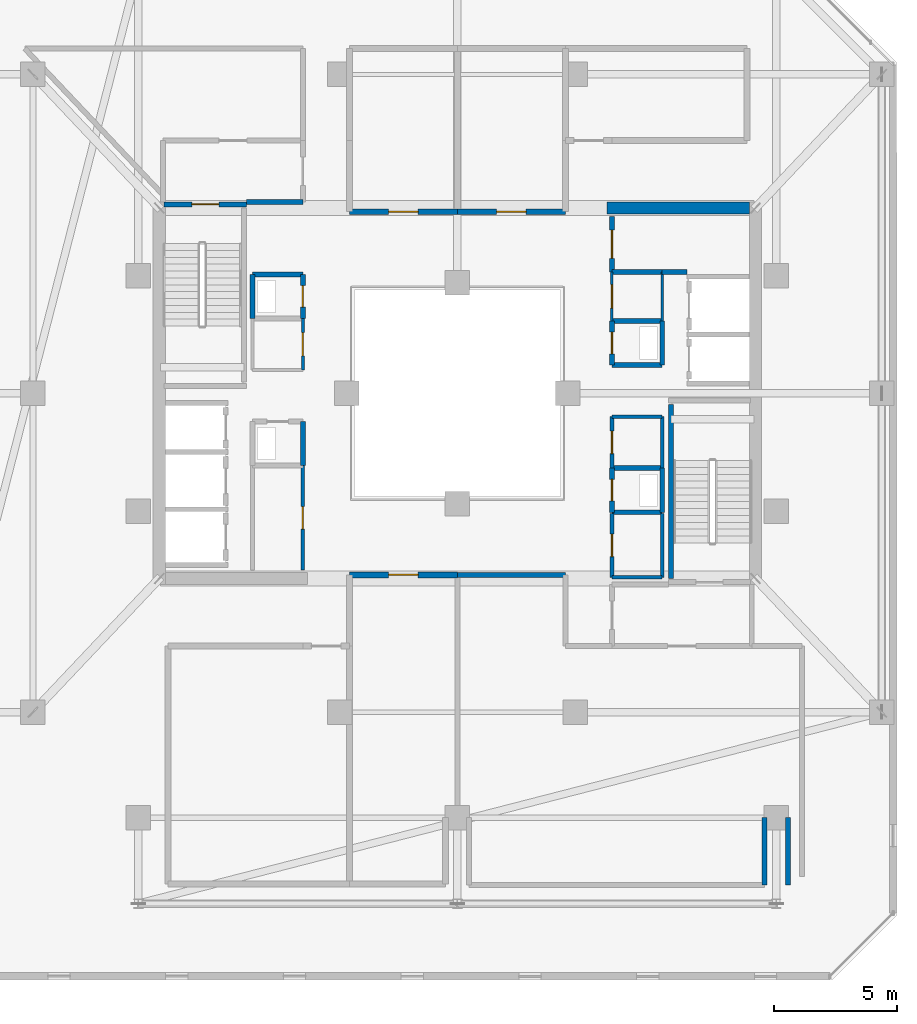
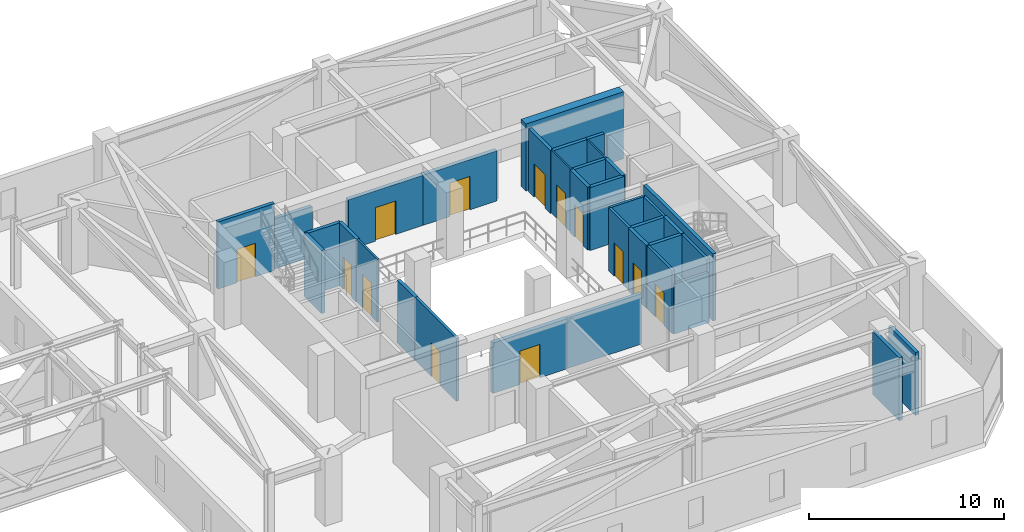
# One storey, part 38 of 42: 35 walls, 13 doors, 13 openings.
"""IFC4 building model written with IfcOpenShell, lengths in metres."""

from ifc_helpers import new_model, si_unit, direction, frame, frame_2d, origin, place, context, subcontext, project, spatial, rectangle, extrude, material, layer, layer_set, type_object, element, fill, save


model = new_model("IFC4")

# Units and contexts
model_context = context("Model", 3, precision=1e-05, world=origin(), true_north=direction((0.0, 1.0)))
body_context = subcontext(model_context, "Body", "Model", "MODEL_VIEW")
ifc_project = project(units=[si_unit("LENGTHUNIT", "METRE"), si_unit("AREAUNIT", "SQUARE_METRE"), si_unit("VOLUMEUNIT", "CUBIC_METRE"), si_unit("PLANEANGLEUNIT", "RADIAN"), si_unit("MASSUNIT", "GRAM", prefix="KILO")], contexts=[model_context])

# Site, building, storey
site_placement = place(None, origin())
site = spatial("IfcSite", under=ifc_project, at=site_placement, CompositionType="ELEMENT")
building_placement = place(site_placement, origin())
building = spatial("IfcBuilding", under=site, at=building_placement, Name="Thornwick Lancets Civic Towers", CompositionType="ELEMENT")
storey_placement = place(building_placement, frame((0.0, 0.0, 221.699951171875)))
storey = spatial("IfcBuildingStorey", under=building, at=storey_placement, Name="L59", CompositionType="ELEMENT", Elevation=221.699951171875)

# Walls
ifc_material_1 = material(Name="Concrete blockwork C40/50", Category="masonry")
ifc_layer_1 = layer(ifc_material_1, 0.199951171875, Name="Concrete blockwork C40/50")
ifc_layer_set_1 = layer_set([ifc_layer_1], Name="Concrete blockwork C40/50")
wall_type_1 = type_object("IfcWallType", Name="WALL_COMP_200", PredefinedType="STANDARD", material=ifc_layer_set_1)
wall_1_placement = place(storey_placement, frame((79.89990234375, 34.800048828125, 0.0), z_axis=(0.0, 0.0, 1.0), x_axis=(1.0, 0.0, 0.0)))
element("IfcWall", 1, at=wall_1_placement, inside=storey, type_object=wall_type_1, Name="L59 Partition L59-B-FFLOB2 E1", PredefinedType="STANDARD", context=body_context, shape_type="SweptSolid", body=[
    extrude(rectangle(XDim=2.300048828125, YDim=0.199951171875, at=frame_2d((1.14990234375, 0.0))), origin(), (0.0, 0.0, 1.0), 3.14501953125),
])
wall_2_placement = place(storey_placement, frame((94.800048828125, 28.14990234375, 0.0), z_axis=(0.0, 0.0, 1.0), x_axis=(1.0, 0.0, 0.0)))
element("IfcWall", 2, at=wall_2_placement, inside=storey, type_object=wall_type_1, Name="L59 Partition L59-B-DUCT1 E1", PredefinedType="STANDARD", context=body_context, shape_type="SweptSolid", body=[
    extrude(rectangle(XDim=2.050048828125, YDim=0.199951171875, at=frame_2d((1.02490234375, 0.0))), origin(), (0.0, 0.0, 1.0), 3.93994140625),
])
wall_3_placement = place(storey_placement, frame((96.85009765625, 28.14990234375, 0.0), z_axis=(0.0, 0.0, 1.0), x_axis=(0.0, 1.0, 0.0)))
element("IfcWall", 3, at=wall_3_placement, inside=storey, type_object=wall_type_1, Name="L59 Partition L59-B-DUCT1 E2", PredefinedType="STANDARD", context=body_context, shape_type="SweptSolid", body=[
    extrude(rectangle(XDim=1.800048828125, YDim=0.199951171875, at=frame_2d((0.89990234375, 0.0))), origin(), (0.0, 0.0, 1.0), 3.93994140625),
])
wall_4_placement = place(storey_placement, frame((96.85009765625, 29.949951171875, 0.0), z_axis=(0.0, 0.0, 1.0), x_axis=(-1.0, 0.0, 0.0)))
element("IfcWall", 4, at=wall_4_placement, inside=storey, type_object=wall_type_1, Name="L59 Partition L59-B-DUCT1 E3", PredefinedType="STANDARD", context=body_context, shape_type="SweptSolid", body=[
    extrude(rectangle(XDim=2.050048828125, YDim=0.199951171875, at=frame_2d((1.02490234375, 0.0))), origin(), (0.0, 0.0, 1.0), 3.93994140625),
])

# Wall, opening, door
wall_5_placement = place(storey_placement, frame((94.800048828125, 29.949951171875, 0.0), z_axis=(0.0, 0.0, 1.0), x_axis=(0.0, -1.0, 0.0)))
wall_5 = element("IfcWall", 5, at=wall_5_placement, inside=storey, type_object=wall_type_1, Name="L59 Partition L59-B-DUCT1 E4", PredefinedType="STANDARD", context=body_context, shape_type="SweptSolid", body=[
    extrude(rectangle(XDim=1.800048828125, YDim=0.199951171875, at=frame_2d((0.89990234375, 0.0))), origin(), (0.0, 0.0, 1.0), 3.93994140625),
])
opening_1_placement = place(wall_5_placement, frame((0.4599609375, 0.0, 0.0)))
opening_1 = element("IfcOpeningElement", 6, at=opening_1_placement, cuts=wall_5, Name="Opening D-L59-2653", PredefinedType="OPENING", context=body_context, shape_type="SweptSolid", body=[
    extrude(rectangle(XDim=0.8798828125, YDim=2.0400390625, at=frame_2d((0.43994140625, 1.02001953125))), frame((0.0, 0.10986328125, 0.0), z_axis=(0.0, -1.0, 0.0), x_axis=(1.0, 0.0, 0.0)), (0.0, 0.0, 1.0), 0.219970703125),
])
ifc_material_2 = material(Name="Steel riser access doorset", Category="steel")
door_type_1 = type_object("IfcDoorType", Name="DOOR_RISER_850", OperationType="NOTDEFINED", PredefinedType="DOOR", material=ifc_material_2)
door_1_placement = place(opening_1_placement, origin())
door_1 = element("IfcDoor", 7, at=door_1_placement, inside=storey, type_object=door_type_1, Name="L59 East Service Duct 1 Door", OperationType="SINGLE_SWING_RIGHT", OverallHeight=2.0400390625, OverallWidth=0.8798828125, PredefinedType="DOOR", context=body_context, shape_type="SweptSolid", body=[
    extrude(rectangle(XDim=0.8798828125, YDim=2.0400390625, at=frame_2d((0.43994140625, 1.02001953125))), frame((0.0, 0.02490234375, 0.0), z_axis=(0.0, -1.0, 0.0), x_axis=(1.0, 0.0, 0.0)), (0.0, 0.0, 1.0), 0.050048828125),
])
fill(opening_1, door_1)

# Walls
wall_6_placement = place(storey_placement, frame((94.800048828125, 22.14990234375, 0.0), z_axis=(0.0, 0.0, 1.0), x_axis=(1.0, 0.0, 0.0)))
element("IfcWall", 8, at=wall_6_placement, inside=storey, type_object=wall_type_1, Name="L59 Partition L59-B-RISER1 E1", PredefinedType="STANDARD", context=body_context, shape_type="SweptSolid", body=[
    extrude(rectangle(XDim=2.050048828125, YDim=0.199951171875, at=frame_2d((1.02490234375, 0.0))), origin(), (0.0, 0.0, 1.0), 3.93994140625),
])
wall_7_placement = place(storey_placement, frame((96.85009765625, 22.14990234375, 0.0), z_axis=(0.0, 0.0, 1.0), x_axis=(0.0, 1.0, 0.0)))
element("IfcWall", 9, at=wall_7_placement, inside=storey, type_object=wall_type_1, Name="L59 Partition L59-B-RISER1 E2", PredefinedType="STANDARD", context=body_context, shape_type="SweptSolid", body=[
    extrude(rectangle(XDim=1.800048828125, YDim=0.199951171875, at=frame_2d((0.89990234375, 0.0))), origin(), (0.0, 0.0, 1.0), 3.93994140625),
])
wall_8_placement = place(storey_placement, frame((96.85009765625, 23.949951171875, 0.0), z_axis=(0.0, 0.0, 1.0), x_axis=(-1.0, 0.0, 0.0)))
element("IfcWall", 10, at=wall_8_placement, inside=storey, type_object=wall_type_1, Name="L59 Partition L59-B-RISER1 E3", PredefinedType="STANDARD", context=body_context, shape_type="SweptSolid", body=[
    extrude(rectangle(XDim=2.050048828125, YDim=0.199951171875, at=frame_2d((1.02490234375, 0.0))), origin(), (0.0, 0.0, 1.0), 3.93994140625),
])

# Wall, opening, door
wall_9_placement = place(storey_placement, frame((94.800048828125, 23.949951171875, 0.0), z_axis=(0.0, 0.0, 1.0), x_axis=(0.0, -1.0, 0.0)))
wall_9 = element("IfcWall", 11, at=wall_9_placement, inside=storey, type_object=wall_type_1, Name="L59 Partition L59-B-RISER1 E4", PredefinedType="STANDARD", context=body_context, shape_type="SweptSolid", body=[
    extrude(rectangle(XDim=1.800048828125, YDim=0.199951171875, at=frame_2d((0.89990234375, 0.0))), origin(), (0.0, 0.0, 1.0), 3.93994140625),
])
opening_2_placement = place(wall_9_placement, frame((0.4599609375, 0.0, 0.0)))
opening_2 = element("IfcOpeningElement", 12, at=opening_2_placement, cuts=wall_9, Name="Opening D-L59-2654", PredefinedType="OPENING", context=body_context, shape_type="SweptSolid", body=[
    extrude(rectangle(XDim=0.8798828125, YDim=2.0400390625, at=frame_2d((0.43994140625, 1.02001953125))), frame((0.0, 0.10986328125, 0.0), z_axis=(0.0, -1.0, 0.0), x_axis=(1.0, 0.0, 0.0)), (0.0, 0.0, 1.0), 0.219970703125),
])
door_2_placement = place(opening_2_placement, origin())
door_2 = element("IfcDoor", 13, at=door_2_placement, inside=storey, type_object=door_type_1, Name="L59 East Electrical Riser 1 Door", OperationType="SINGLE_SWING_LEFT", OverallHeight=2.0400390625, OverallWidth=0.8798828125, PredefinedType="DOOR", context=body_context, shape_type="SweptSolid", body=[
    extrude(rectangle(XDim=0.8798828125, YDim=2.0400390625, at=frame_2d((0.43994140625, 1.02001953125))), frame((0.0, 0.02490234375, 0.0), z_axis=(0.0, -1.0, 0.0), x_axis=(1.0, 0.0, 0.0)), (0.0, 0.0, 1.0), 0.050048828125),
])
fill(opening_2, door_2)

# Wall
wall_10_placement = place(storey_placement, frame((82.199951171875, 24.050048828125, 0.0), z_axis=(0.0, 0.0, 1.0), x_axis=(0.0, 1.0, 0.0)))
element("IfcWall", 14, at=wall_10_placement, inside=storey, type_object=wall_type_1, Name="L59 Partition L59-B-DUCT2 E2", PredefinedType="STANDARD", context=body_context, shape_type="SweptSolid", body=[
    extrude(rectangle(XDim=1.800048828125, YDim=0.199951171875, at=frame_2d((0.89990234375, 0.0))), origin(), (0.0, 0.0, 1.0), 3.93994140625),
])

# Wall, opening, door
wall_11_placement = place(storey_placement, frame((82.199951171875, 30.050048828125, 0.0), z_axis=(0.0, 0.0, 1.0), x_axis=(0.0, 1.0, 0.0)))
wall_11 = element("IfcWall", 15, at=wall_11_placement, inside=storey, type_object=wall_type_1, Name="L59 Partition L59-B-RISER2 E2", PredefinedType="STANDARD", context=body_context, shape_type="SweptSolid", body=[
    extrude(rectangle(XDim=1.800048828125, YDim=0.199951171875, at=frame_2d((0.89990234375, 0.0))), origin(), (0.0, 0.0, 1.0), 3.93994140625),
])
opening_3_placement = place(wall_11_placement, frame((0.4599609375, 0.0, 0.0)))
opening_3 = element("IfcOpeningElement", 16, at=opening_3_placement, cuts=wall_11, Name="Opening D-L59-2656", PredefinedType="OPENING", context=body_context, shape_type="SweptSolid", body=[
    extrude(rectangle(XDim=0.8798828125, YDim=2.0400390625, at=frame_2d((0.43994140625, 1.02001953125))), frame((0.0, 0.10986328125, 0.0), z_axis=(0.0, -1.0, 0.0), x_axis=(1.0, 0.0, 0.0)), (0.0, 0.0, 1.0), 0.219970703125),
])
door_3_placement = place(opening_3_placement, origin())
door_3 = element("IfcDoor", 17, at=door_3_placement, inside=storey, type_object=door_type_1, Name="L59 West Service Riser 2 Door", OperationType="SINGLE_SWING_LEFT", OverallHeight=2.0400390625, OverallWidth=0.8798828125, PredefinedType="DOOR", context=body_context, shape_type="SweptSolid", body=[
    extrude(rectangle(XDim=0.8798828125, YDim=2.0400390625, at=frame_2d((0.43994140625, 1.02001953125))), frame((0.0, 0.02490234375, 0.0), z_axis=(0.0, -1.0, 0.0), x_axis=(1.0, 0.0, 0.0)), (0.0, 0.0, 1.0), 0.050048828125),
])
fill(opening_3, door_3)

# Walls
wall_12_placement = place(storey_placement, frame((82.199951171875, 31.85009765625, 0.0), z_axis=(0.0, 0.0, 1.0), x_axis=(-1.0, 0.0, 0.0)))
element("IfcWall", 18, at=wall_12_placement, inside=storey, type_object=wall_type_1, Name="L59 Partition L59-B-RISER2 E3", PredefinedType="STANDARD", context=body_context, shape_type="SweptSolid", body=[
    extrude(rectangle(XDim=2.050048828125, YDim=0.199951171875, at=frame_2d((1.02490234375, 0.0))), origin(), (0.0, 0.0, 1.0), 3.93994140625),
])
wall_13_placement = place(storey_placement, frame((80.14990234375, 31.85009765625, 0.0), z_axis=(0.0, 0.0, 1.0), x_axis=(0.0, -1.0, 0.0)))
element("IfcWall", 19, at=wall_13_placement, inside=storey, type_object=wall_type_1, Name="L59 Partition L59-B-RISER2 E4", PredefinedType="STANDARD", context=body_context, shape_type="SweptSolid", body=[
    extrude(rectangle(XDim=1.800048828125, YDim=0.199951171875, at=frame_2d((0.89990234375, 0.0))), origin(), (0.0, 0.0, 1.0), 3.93994140625),
])

# Wall, opening, door
wall_14_placement = place(storey_placement, frame((94.800048828125, 31.949951171875, 0.0), z_axis=(0.0, 0.0, 1.0), x_axis=(0.0, 1.0, 0.0)))
wall_14 = element("IfcWall", 20, at=wall_14_placement, inside=storey, type_object=wall_type_1, Name="L59 Partition L59-B-ITR2 E1", PredefinedType="STANDARD", context=body_context, shape_type="SweptSolid", body=[
    extrude(rectangle(XDim=2.25, YDim=0.199951171875, at=frame_2d((1.125, 0.0))), origin(), (0.0, 0.0, 1.0), 3.93994140625),
])
opening_4_placement = place(wall_14_placement, frame((0.550048828125, 0.0, 0.0)))
opening_4 = element("IfcOpeningElement", 21, at=opening_4_placement, cuts=wall_14, Name="Opening D-L59-2660", PredefinedType="OPENING", context=body_context, shape_type="SweptSolid", body=[
    extrude(rectangle(XDim=1.14990234375, YDim=2.10009765625, at=frame_2d((0.574951171875, 1.050048828125))), frame((0.0, 0.10986328125, 0.0), z_axis=(0.0, -1.0, 0.0), x_axis=(1.0, 0.0, 0.0)), (0.0, 0.0, 1.0), 0.219970703125),
])
ifc_material_3 = material(Name="Glazed fire-resisting steel", Category="steel")
door_type_2 = type_object("IfcDoorType", Name="DOOR_LOBBY_FD60", OperationType="NOTDEFINED", PredefinedType="DOOR", material=ifc_material_3)
door_4_placement = place(opening_4_placement, origin())
door_4 = element("IfcDoor", 22, at=door_4_placement, inside=storey, type_object=door_type_2, Name="L59 Tower B Statutory Core Archive Door", OperationType="SINGLE_SWING_LEFT", OverallHeight=2.10009765625, OverallWidth=1.14990234375, PredefinedType="DOOR", context=body_context, shape_type="SweptSolid", body=[
    extrude(rectangle(XDim=1.14990234375, YDim=2.10009765625, at=frame_2d((0.574951171875, 1.050048828125))), frame((0.0, 0.02490234375, 0.0), z_axis=(0.0, -1.0, 0.0), x_axis=(1.0, 0.0, 0.0)), (0.0, 0.0, 1.0), 0.050048828125),
])
fill(opening_4, door_4)

# Walls
wall_15_placement = place(storey_placement, frame((97.85205078125, 31.949951171875, 0.0), z_axis=(0.0, 0.0, 1.0), x_axis=(-1.0, 0.0, 0.0)))
element("IfcWall", 23, at=wall_15_placement, inside=storey, type_object=wall_type_1, Name="L59 Partition L59-B-ITR2 E4", PredefinedType="STANDARD", context=body_context, shape_type="SweptSolid", body=[
    extrude(rectangle(XDim=1.001953125, YDim=0.199951171875, at=frame_2d((0.5009765625, 0.0))), origin(), (0.0, 0.0, 1.0), 3.93994140625),
])
wall_16_placement = place(storey_placement, frame((96.85009765625, 31.949951171875, 0.0), z_axis=(0.0, 0.0, 1.0), x_axis=(-1.0, 0.0, 0.0)))
element("IfcWall", 24, at=wall_16_placement, inside=storey, type_object=wall_type_1, Name="L59 Partition L59-B-ITR2 E5", PredefinedType="STANDARD", context=body_context, shape_type="SweptSolid", body=[
    extrude(rectangle(XDim=2.050048828125, YDim=0.199951171875, at=frame_2d((1.02490234375, 0.0))), origin(), (0.0, 0.0, 1.0), 3.93994140625),
])
for number, where, z_axis, x_axis, name in (
    (25, (101.97998046875, 6.949951171875, 0.0), (0.0, 0.0, 1.0), (0.0, 1.0, 0.0), "L59 Partition L59-B-REF1 E8"),
    (26, (101.02001953125, 9.699951171875, 0.0), (0.0, 0.0, 1.0), (0.0, -1.0, 0.0), "L59 Partition L59-B-REF1 E10"),
):
    element("IfcWall", number, at=place(storey_placement, frame(where, z_axis=z_axis, x_axis=x_axis)), inside=storey, type_object=wall_type_1, Name=name, PredefinedType="STANDARD", context=body_context, shape_type="SweptSolid", body=[
        extrude(rectangle(XDim=2.75, YDim=0.199951171875, at=frame_2d((1.375, 0.0))), origin(), (0.0, 0.0, 1.0), 3.93994140625),
    ])
wall_17_placement = place(storey_placement, frame((88.5, 19.60009765625, 0.0), z_axis=(0.0, 0.0, 1.0), x_axis=(1.0, 0.0, 0.0)))
element("IfcWall", 27, at=wall_17_placement, inside=storey, type_object=wall_type_1, Name="L59 Partition L59-B-REF1 E15", PredefinedType="STANDARD", context=body_context, shape_type="SweptSolid", body=[
    extrude(rectangle(XDim=4.39990234375, YDim=0.199951171875, at=frame_2d((2.199951171875, 0.0))), origin(), (0.0, 0.0, 1.0), 3.14501953125),
])

# Wall, opening, door
ifc_layer_2 = layer(ifc_material_1, 0.239990234375, Name="Concrete blockwork C40/50")
ifc_layer_set_2 = layer_set([ifc_layer_2], Name="Concrete blockwork C40/50")
wall_type_2 = type_object("IfcWallType", Name="WALL_COMP_240", PredefinedType="STANDARD", material=ifc_layer_set_2)
wall_18_placement = place(storey_placement, frame((92.89990234375, 34.39990234375, 0.0), z_axis=(0.0, 0.0, 1.0), x_axis=(-1.0, 0.0, 0.0)))
wall_18 = element("IfcWall", 28, at=wall_18_placement, inside=storey, type_object=wall_type_2, Name="L59 Partition L59-B-PL-SMK E5", PredefinedType="STANDARD", context=body_context, shape_type="SweptSolid", body=[
    extrude(rectangle(XDim=4.39990234375, YDim=0.239990234375, at=frame_2d((2.199951171875, 0.0))), origin(), (0.0, 0.0, 1.0), 3.14501953125),
])
opening_5_placement = place(wall_18_placement, frame((1.60009765625, 0.0, 0.0)))
opening_5 = element("IfcOpeningElement", 29, at=opening_5_placement, cuts=wall_18, Name="Opening D-L59-2670", PredefinedType="OPENING", context=body_context, shape_type="SweptSolid", body=[
    extrude(rectangle(XDim=1.199951171875, YDim=2.10009765625, at=frame_2d((0.60009765625, 1.050048828125))), frame((0.0, 0.1298828125, 0.0), z_axis=(0.0, -1.0, 0.0), x_axis=(1.0, 0.0, 0.0)), (0.0, 0.0, 1.0), 0.260009765625),
])
ifc_material_4 = material(Name="Steel plant room doorset", Category="steel")
door_type_3 = type_object("IfcDoorType", Name="DOOR_PLANT_1200", OperationType="NOTDEFINED", PredefinedType="DOOR", material=ifc_material_4)
door_5_placement = place(opening_5_placement, origin())
door_5 = element("IfcDoor", 30, at=door_5_placement, inside=storey, type_object=door_type_3, Name="L59 Tower B Smoke Extract Fan Plant Room Door", OperationType="SINGLE_SWING_LEFT", OverallHeight=2.10009765625, OverallWidth=1.199951171875, PredefinedType="DOOR", context=body_context, shape_type="SweptSolid", body=[
    extrude(rectangle(XDim=1.199951171875, YDim=2.10009765625, at=frame_2d((0.60009765625, 1.050048828125))), frame((0.0, 0.02490234375, 0.0), z_axis=(0.0, -1.0, 0.0), x_axis=(1.0, 0.0, 0.0)), (0.0, 0.0, 1.0), 0.050048828125),
])
fill(opening_5, door_5)

wall_19_placement = place(storey_placement, frame((88.5, 34.39990234375, 0.0), z_axis=(0.0, 0.0, 1.0), x_axis=(-1.0, 0.0, 0.0)))
wall_19 = element("IfcWall", 31, at=wall_19_placement, inside=storey, type_object=wall_type_2, Name="L59 Partition L59-B-PL-PRS E5", PredefinedType="STANDARD", context=body_context, shape_type="SweptSolid", body=[
    extrude(rectangle(XDim=4.39990234375, YDim=0.239990234375, at=frame_2d((2.199951171875, 0.0))), origin(), (0.0, 0.0, 1.0), 3.14501953125),
])
opening_6_placement = place(wall_19_placement, frame((1.60009765625, 0.0, 0.0)))
opening_6 = element("IfcOpeningElement", 32, at=opening_6_placement, cuts=wall_19, Name="Opening D-L59-2671", PredefinedType="OPENING", context=body_context, shape_type="SweptSolid", body=[
    extrude(rectangle(XDim=1.199951171875, YDim=2.10009765625, at=frame_2d((0.60009765625, 1.050048828125))), frame((0.0, 0.1298828125, 0.0), z_axis=(0.0, -1.0, 0.0), x_axis=(1.0, 0.0, 0.0)), (0.0, 0.0, 1.0), 0.260009765625),
])
door_6_placement = place(opening_6_placement, origin())
door_6 = element("IfcDoor", 33, at=door_6_placement, inside=storey, type_object=door_type_3, Name="L59 Tower B Pressurisation Air Handling Plant Room Door", OperationType="SINGLE_SWING_RIGHT", OverallHeight=2.10009765625, OverallWidth=1.199951171875, PredefinedType="DOOR", context=body_context, shape_type="SweptSolid", body=[
    extrude(rectangle(XDim=1.199951171875, YDim=2.10009765625, at=frame_2d((0.60009765625, 1.050048828125))), frame((0.0, 0.02490234375, 0.0), z_axis=(0.0, -1.0, 0.0), x_axis=(1.0, 0.0, 0.0)), (0.0, 0.0, 1.0), 0.050048828125),
])
fill(opening_6, door_6)

wall_20_placement = place(storey_placement, frame((84.10009765625, 19.60009765625, 0.0), z_axis=(0.0, 0.0, 1.0), x_axis=(1.0, 0.0, 0.0)))
wall_20 = element("IfcWall", 34, at=wall_20_placement, inside=storey, type_object=wall_type_2, Name="L59 Partition L59-B-PL-AHU E2", PredefinedType="STANDARD", context=body_context, shape_type="SweptSolid", body=[
    extrude(rectangle(XDim=4.39990234375, YDim=0.239990234375, at=frame_2d((2.199951171875, 0.0))), origin(), (0.0, 0.0, 1.0), 3.14501953125),
])
opening_7_placement = place(wall_20_placement, frame((1.60009765625, 0.0, 0.0)))
opening_7 = element("IfcOpeningElement", 35, at=opening_7_placement, cuts=wall_20, Name="Opening D-L59-2674", PredefinedType="OPENING", context=body_context, shape_type="SweptSolid", body=[
    extrude(rectangle(XDim=1.199951171875, YDim=2.10009765625, at=frame_2d((0.60009765625, 1.050048828125))), frame((0.0, 0.1298828125, 0.0), z_axis=(0.0, -1.0, 0.0), x_axis=(1.0, 0.0, 0.0)), (0.0, 0.0, 1.0), 0.260009765625),
])
door_7_placement = place(opening_7_placement, origin())
door_7 = element("IfcDoor", 36, at=door_7_placement, inside=storey, type_object=door_type_3, Name="L59 Tower B AHU and Ventilation Plant Room Door", OperationType="SINGLE_SWING_LEFT", OverallHeight=2.10009765625, OverallWidth=1.199951171875, PredefinedType="DOOR", context=body_context, shape_type="SweptSolid", body=[
    extrude(rectangle(XDim=1.199951171875, YDim=2.10009765625, at=frame_2d((0.60009765625, 1.050048828125))), frame((0.0, 0.02490234375, 0.0), z_axis=(0.0, -1.0, 0.0), x_axis=(1.0, 0.0, 0.0)), (0.0, 0.0, 1.0), 0.050048828125),
])
fill(opening_7, door_7)

# Wall
ifc_material_5 = material(Name="Concrete C50/60", Category="concrete")
ifc_layer_3 = layer(ifc_material_5, 0.5, Name="Concrete C50/60")
ifc_layer_set_3 = layer_set([ifc_layer_3], Name="Concrete C50/60")
wall_type_3 = type_object("IfcWallType", Name="WALL_CORE_500", PredefinedType="SHEAR", material=ifc_layer_set_3)
wall_21_placement = place(storey_placement, frame((94.60009765625, 34.550048828125, 0.0), z_axis=(0.0, 0.0, 1.0), x_axis=(1.0, 0.0, 0.0)))
element("IfcWall", 37, at=wall_21_placement, inside=storey, type_object=wall_type_3, Name="L59 Split Core B1 Shear Wall N", PredefinedType="SHEAR", context=body_context, shape_type="SweptSolid", body=[
    extrude(rectangle(XDim=5.7998046875, YDim=0.5, at=frame_2d((2.89990234375, 0.0))), origin(), (0.0, 0.0, 1.0), 4.199951171875),
])

# Wall, opening, door
ifc_material_6 = material(Name="Lightweight cellular office partition")
ifc_layer_4 = layer(ifc_material_6, 0.10009765625, Name="Lightweight cellular office partition")
ifc_layer_set_4 = layer_set([ifc_layer_4], Name="Lightweight cellular office partition")
wall_type_4 = type_object("IfcWallType", Name="WALL_PART_100", PredefinedType="PARTITIONING", material=ifc_layer_set_4)
wall_22_placement = place(storey_placement, frame((94.800048828125, 29.949951171875, 0.0), z_axis=(0.0, 0.0, 1.0), x_axis=(0.0, 1.0, 0.0)))
wall_22 = element("IfcWall", 38, at=wall_22_placement, inside=storey, type_object=wall_type_4, Name="L59 Partition L59-B-CLN E1", PredefinedType="PARTITIONING", context=body_context, shape_type="SweptSolid", body=[
    extrude(rectangle(XDim=2.0, YDim=0.10009765625, at=frame_2d((1.0, 0.0))), origin(), (0.0, 0.0, 1.0), 3.93994140625),
])
opening_8_placement = place(wall_22_placement, frame((0.52490234375, 0.0, 0.0)))
opening_8 = element("IfcOpeningElement", 39, at=opening_8_placement, cuts=wall_22, Name="Opening D-L59-2659", PredefinedType="OPENING", context=body_context, shape_type="SweptSolid", body=[
    extrude(rectangle(XDim=0.949951171875, YDim=2.10009765625, at=frame_2d((0.47509765625, 1.050048828125))), frame((0.0, 0.06005859375, 0.0), z_axis=(0.0, -1.0, 0.0), x_axis=(1.0, 0.0, 0.0)), (0.0, 0.0, 1.0), 0.1201171875),
])
ifc_material_7 = material(Name="European oak acoustic doorset")
door_type_4 = type_object("IfcDoorType", Name="DOOR_OFFICE_950", OperationType="NOTDEFINED", PredefinedType="DOOR", material=ifc_material_7)
door_8_placement = place(opening_8_placement, origin())
door_8 = element("IfcDoor", 40, at=door_8_placement, inside=storey, type_object=door_type_4, Name="L59 Tower B Cleaners Store Door", OperationType="SINGLE_SWING_RIGHT", OverallHeight=2.10009765625, OverallWidth=0.949951171875, PredefinedType="DOOR", context=body_context, shape_type="SweptSolid", body=[
    extrude(rectangle(XDim=0.949951171875, YDim=2.10009765625, at=frame_2d((0.47509765625, 1.050048828125))), frame((0.0, 0.02490234375, 0.0), z_axis=(0.0, -1.0, 0.0), x_axis=(1.0, 0.0, 0.0)), (0.0, 0.0, 1.0), 0.050048828125),
])
fill(opening_8, door_8)

# Wall
wall_23_placement = place(storey_placement, frame((96.85009765625, 31.949951171875, 0.0), z_axis=(0.0, 0.0, 1.0), x_axis=(0.0, -1.0, 0.0)))
element("IfcWall", 41, at=wall_23_placement, inside=storey, type_object=wall_type_4, Name="L59 Partition L59-B-CLN E3", PredefinedType="PARTITIONING", context=body_context, shape_type="SweptSolid", body=[
    extrude(rectangle(XDim=2.0, YDim=0.10009765625, at=frame_2d((1.0, 0.0))), origin(), (0.0, 0.0, 1.0), 3.93994140625),
])

# Wall, opening, door
ifc_material_8 = material(Name="Acoustic gypsum board partition")
ifc_layer_5 = layer(ifc_material_8, 0.1201171875, Name="Acoustic gypsum board partition")
ifc_layer_set_5 = layer_set([ifc_layer_5], Name="Acoustic gypsum board partition")
wall_type_5 = type_object("IfcWallType", Name="WALL_PART_120", PredefinedType="PARTITIONING", material=ifc_layer_set_5)
wall_24_placement = place(storey_placement, frame((82.199951171875, 30.050048828125, 0.0), z_axis=(0.0, 0.0, 1.0), x_axis=(0.0, -1.0, 0.0)))
wall_24 = element("IfcWall", 42, at=wall_24_placement, inside=storey, type_object=wall_type_5, Name="L59 Partition L59-B-ITR E4", PredefinedType="PARTITIONING", context=body_context, shape_type="SweptSolid", body=[
    extrude(rectangle(XDim=2.10009765625, YDim=0.1201171875, at=frame_2d((1.050048828125, 0.0))), origin(), (0.0, 0.0, 1.0), 3.93994140625),
])
opening_9_placement = place(wall_24_placement, frame((0.574951171875, 0.0, 0.0)))
opening_9 = element("IfcOpeningElement", 43, at=opening_9_placement, cuts=wall_24, Name="Opening D-L59-2662", PredefinedType="OPENING", context=body_context, shape_type="SweptSolid", body=[
    extrude(rectangle(XDim=0.949951171875, YDim=2.10009765625, at=frame_2d((0.47509765625, 1.050048828125))), frame((0.0, 0.070068359375, 0.0), z_axis=(0.0, -1.0, 0.0), x_axis=(1.0, 0.0, 0.0)), (0.0, 0.0, 1.0), 0.14013671875),
])
door_9_placement = place(opening_9_placement, origin())
door_9 = element("IfcDoor", 44, at=door_9_placement, inside=storey, type_object=door_type_4, Name="L59 Tower B Comms Patch Room Door", OperationType="SINGLE_SWING_LEFT", OverallHeight=2.10009765625, OverallWidth=0.949951171875, PredefinedType="DOOR", context=body_context, shape_type="SweptSolid", body=[
    extrude(rectangle(XDim=0.949951171875, YDim=2.10009765625, at=frame_2d((0.47509765625, 1.050048828125))), frame((0.0, 0.02490234375, 0.0), z_axis=(0.0, -1.0, 0.0), x_axis=(1.0, 0.0, 0.0)), (0.0, 0.0, 1.0), 0.050048828125),
])
fill(opening_9, door_9)

# Walls
ifc_material_9 = material(Name="Twin-stud acoustic gypsum board")
ifc_layer_6 = layer(ifc_material_9, 0.14990234375, Name="Twin-stud acoustic gypsum board")
ifc_layer_set_6 = layer_set([ifc_layer_6], Name="Twin-stud acoustic gypsum board")
wall_type_6 = type_object("IfcWallType", Name="WALL_PART_150", PredefinedType="PARTITIONING", material=ifc_layer_set_6)
wall_25_placement = place(storey_placement, frame((94.800048828125, 19.5, 0.0), z_axis=(0.0, 0.0, 1.0), x_axis=(1.0, 0.0, 0.0)))
element("IfcWall", 45, at=wall_25_placement, inside=storey, type_object=wall_type_6, Name="L59 Partition L59-B-MWC E1", PredefinedType="PARTITIONING", context=body_context, shape_type="SweptSolid", body=[
    extrude(rectangle(XDim=2.050048828125, YDim=0.14990234375, at=frame_2d((1.02490234375, 0.0))), origin(), (0.0, 0.0, 1.0), 3.14501953125),
])
wall_26_placement = place(storey_placement, frame((96.85009765625, 19.5, 0.0), z_axis=(0.0, 0.0, 1.0), x_axis=(0.0, 1.0, 0.0)))
element("IfcWall", 46, at=wall_26_placement, inside=storey, type_object=wall_type_6, Name="L59 Partition L59-B-MWC E2", PredefinedType="PARTITIONING", context=body_context, shape_type="SweptSolid", body=[
    extrude(rectangle(XDim=2.60009765625, YDim=0.14990234375, at=frame_2d((1.300048828125, 0.0))), origin(), (0.0, 0.0, 1.0), 3.93994140625),
])

# Wall, opening, door
wall_27_placement = place(storey_placement, frame((94.800048828125, 22.10009765625, 0.0), z_axis=(0.0, 0.0, 1.0), x_axis=(0.0, -1.0, 0.0)))
wall_27 = element("IfcWall", 47, at=wall_27_placement, inside=storey, type_object=wall_type_6, Name="L59 Partition L59-B-MWC E4", PredefinedType="PARTITIONING", context=body_context, shape_type="SweptSolid", body=[
    extrude(rectangle(XDim=2.60009765625, YDim=0.14990234375, at=frame_2d((1.300048828125, 0.0))), origin(), (0.0, 0.0, 1.0), 3.93994140625),
])
opening_10_placement = place(wall_27_placement, frame((0.840087890625, 0.0, 0.0)))
opening_10 = element("IfcOpeningElement", 48, at=opening_10_placement, cuts=wall_27, Name="Opening D-L59-2657", PredefinedType="OPENING", context=body_context, shape_type="SweptSolid", body=[
    extrude(rectangle(XDim=0.919921875, YDim=2.080078125, at=frame_2d((0.4599609375, 1.0400390625))), frame((0.0, 0.0849609375, 0.0), z_axis=(0.0, -1.0, 0.0), x_axis=(1.0, 0.0, 0.0)), (0.0, 0.0, 1.0), 0.169921875),
])
ifc_material_10 = material(Name="Moisture-resistant oak doorset")
door_type_5 = type_object("IfcDoorType", Name="DOOR_WC_900", OperationType="NOTDEFINED", PredefinedType="DOOR", material=ifc_material_10)
door_10_placement = place(opening_10_placement, origin())
door_10 = element("IfcDoor", 49, at=door_10_placement, inside=storey, type_object=door_type_5, Name="L59 Tower B Male WC Door", OperationType="SINGLE_SWING_RIGHT", OverallHeight=2.080078125, OverallWidth=0.919921875, PredefinedType="DOOR", context=body_context, shape_type="SweptSolid", body=[
    extrude(rectangle(XDim=0.919921875, YDim=2.080078125, at=frame_2d((0.4599609375, 1.0400390625))), frame((0.0, 0.02490234375, 0.0), z_axis=(0.0, -1.0, 0.0), x_axis=(1.0, 0.0, 0.0)), (0.0, 0.0, 1.0), 0.050048828125),
])
fill(opening_10, door_10)

wall_28_placement = place(storey_placement, frame((94.800048828125, 23.949951171875, 0.0), z_axis=(0.0, 0.0, 1.0), x_axis=(0.0, 1.0, 0.0)))
wall_28 = element("IfcWall", 50, at=wall_28_placement, inside=storey, type_object=wall_type_6, Name="L59 Partition L59-B-AWC E1", PredefinedType="PARTITIONING", context=body_context, shape_type="SweptSolid", body=[
    extrude(rectangle(XDim=2.10009765625, YDim=0.14990234375, at=frame_2d((1.050048828125, 0.0))), origin(), (0.0, 0.0, 1.0), 3.93994140625),
])
opening_11_placement = place(wall_28_placement, frame((0.590087890625, 0.0, 0.0)))
opening_11 = element("IfcOpeningElement", 51, at=opening_11_placement, cuts=wall_28, Name="Opening D-L59-2658", PredefinedType="OPENING", context=body_context, shape_type="SweptSolid", body=[
    extrude(rectangle(XDim=0.919921875, YDim=2.080078125, at=frame_2d((0.4599609375, 1.0400390625))), frame((0.0, 0.0849609375, 0.0), z_axis=(0.0, -1.0, 0.0), x_axis=(1.0, 0.0, 0.0)), (0.0, 0.0, 1.0), 0.169921875),
])
door_11_placement = place(opening_11_placement, origin())
door_11 = element("IfcDoor", 52, at=door_11_placement, inside=storey, type_object=door_type_5, Name="L59 Tower B Accessible WC Door", OperationType="SINGLE_SWING_LEFT", OverallHeight=2.080078125, OverallWidth=0.919921875, PredefinedType="DOOR", context=body_context, shape_type="SweptSolid", body=[
    extrude(rectangle(XDim=0.919921875, YDim=2.080078125, at=frame_2d((0.4599609375, 1.0400390625))), frame((0.0, 0.02490234375, 0.0), z_axis=(0.0, -1.0, 0.0), x_axis=(1.0, 0.0, 0.0)), (0.0, 0.0, 1.0), 0.050048828125),
])
fill(opening_11, door_11)

# Walls
wall_29_placement = place(storey_placement, frame((94.800048828125, 26.050048828125, 0.0), z_axis=(0.0, 0.0, 1.0), x_axis=(1.0, 0.0, 0.0)))
element("IfcWall", 53, at=wall_29_placement, inside=storey, type_object=wall_type_6, Name="L59 Partition L59-B-AWC E2", PredefinedType="PARTITIONING", context=body_context, shape_type="SweptSolid", body=[
    extrude(rectangle(XDim=2.050048828125, YDim=0.14990234375, at=frame_2d((1.02490234375, 0.0))), origin(), (0.0, 0.0, 1.0), 3.93994140625),
])
wall_30_placement = place(storey_placement, frame((96.85009765625, 26.050048828125, 0.0), z_axis=(0.0, 0.0, 1.0), x_axis=(0.0, -1.0, 0.0)))
element("IfcWall", 54, at=wall_30_placement, inside=storey, type_object=wall_type_6, Name="L59 Partition L59-B-AWC E3", PredefinedType="PARTITIONING", context=body_context, shape_type="SweptSolid", body=[
    extrude(rectangle(XDim=2.10009765625, YDim=0.14990234375, at=frame_2d((1.050048828125, 0.0))), origin(), (0.0, 0.0, 1.0), 3.93994140625),
])

# Wall, opening, door
wall_31_placement = place(storey_placement, frame((82.199951171875, 24.050048828125, 0.0), z_axis=(0.0, 0.0, 1.0), x_axis=(0.0, -1.0, 0.0)))
wall_31 = element("IfcWall", 55, at=wall_31_placement, inside=storey, type_object=wall_type_6, Name="L59 Partition L59-B-FWC E4", PredefinedType="PARTITIONING", context=body_context, shape_type="SweptSolid", body=[
    extrude(rectangle(XDim=4.25, YDim=0.14990234375, at=frame_2d((2.125, 0.0))), origin(), (0.0, 0.0, 1.0), 3.93994140625),
])
opening_12_placement = place(wall_31_placement, frame((1.6650390625, 0.0, 0.0)))
opening_12 = element("IfcOpeningElement", 56, at=opening_12_placement, cuts=wall_31, Name="Opening D-L59-2661", PredefinedType="OPENING", context=body_context, shape_type="SweptSolid", body=[
    extrude(rectangle(XDim=0.919921875, YDim=2.080078125, at=frame_2d((0.4599609375, 1.0400390625))), frame((0.0, 0.0849609375, 0.0), z_axis=(0.0, -1.0, 0.0), x_axis=(1.0, 0.0, 0.0)), (0.0, 0.0, 1.0), 0.169921875),
])
door_12_placement = place(opening_12_placement, origin())
door_12 = element("IfcDoor", 57, at=door_12_placement, inside=storey, type_object=door_type_5, Name="L59 Tower B Female WC Door", OperationType="SINGLE_SWING_RIGHT", OverallHeight=2.080078125, OverallWidth=0.919921875, PredefinedType="DOOR", context=body_context, shape_type="SweptSolid", body=[
    extrude(rectangle(XDim=0.919921875, YDim=2.080078125, at=frame_2d((0.4599609375, 1.0400390625))), frame((0.0, 0.02490234375, 0.0), z_axis=(0.0, -1.0, 0.0), x_axis=(1.0, 0.0, 0.0)), (0.0, 0.0, 1.0), 0.050048828125),
])
fill(opening_12, door_12)

# Wall
ifc_material_11 = material(Name="Concrete C40/50", Category="concrete")
ifc_layer_7 = layer(ifc_material_11, 0.199951171875, Name="Concrete C40/50")
ifc_layer_set_7 = layer_set([ifc_layer_7], Name="Concrete C40/50")
wall_type_7 = type_object("IfcWallType", Name="WALL_SHAFT_200", PredefinedType="SHEAR", material=ifc_layer_set_7)
wall_32_placement = place(storey_placement, frame((97.202880859375, 26.550048828125, 0.0), z_axis=(0.0, 0.0, 1.0), x_axis=(0.0, -1.0, 0.0)))
element("IfcWall", 58, at=wall_32_placement, inside=storey, type_object=wall_type_7, Name="L59 ST-B1 Fire Stair Core Wall RIGHT", PredefinedType="SHEAR", context=body_context, shape_type="SweptSolid", body=[
    extrude(rectangle(XDim=7.10009765625, YDim=0.199951171875, at=frame_2d((3.550048828125, 0.0))), origin(), (0.0, 0.0, 1.0), 4.199951171875),
])

# Wall, opening, door
wall_33_placement = place(storey_placement, frame((76.550048828125, 34.699951171875, 0.0), z_axis=(0.0, 0.0, 1.0), x_axis=(1.0, 0.0, 0.0)))
wall_33 = element("IfcWall", 59, at=wall_33_placement, inside=storey, type_object=wall_type_7, Name="L59 ST-B2 Fire Stair Core Wall NEAR", PredefinedType="SHEAR", context=body_context, shape_type="SweptSolid", body=[
    extrude(rectangle(XDim=3.349853515625, YDim=0.199951171875, at=frame_2d((1.6748046875, 0.0))), origin(), (0.0, 0.0, 1.0), 4.199951171875),
])
opening_13_placement = place(wall_33_placement, frame((1.125, 0.0, 0.0)))
opening_13 = element("IfcOpeningElement", 60, at=opening_13_placement, cuts=wall_33, Name="Opening D-ST-B2-L59", PredefinedType="OPENING", context=body_context, shape_type="SweptSolid", body=[
    extrude(rectangle(XDim=1.10009765625, YDim=2.10009765625, at=frame_2d((0.550048828125, 1.050048828125))), frame((0.0, 0.10986328125, 0.0), z_axis=(0.0, -1.0, 0.0), x_axis=(1.0, 0.0, 0.0)), (0.0, 0.0, 1.0), 0.219970703125),
])
ifc_material_12 = material(Name="Fire-resisting steel and hardwood", Category="steel")
door_type_6 = type_object("IfcDoorType", Name="DOOR_STAIR_FD60", OperationType="NOTDEFINED", PredefinedType="DOOR", material=ifc_material_12)
door_13_placement = place(opening_13_placement, origin())
door_13 = element("IfcDoor", 61, at=door_13_placement, inside=storey, type_object=door_type_6, Name="L59 ST-B2 Exit Stair Door", OperationType="SINGLE_SWING_LEFT", OverallHeight=2.10009765625, OverallWidth=1.10009765625, PredefinedType="DOOR", context=body_context, shape_type="SweptSolid", body=[
    extrude(rectangle(XDim=1.10009765625, YDim=2.10009765625, at=frame_2d((0.550048828125, 1.050048828125))), frame((0.0, 0.02490234375, 0.0), z_axis=(0.0, -1.0, 0.0), x_axis=(1.0, 0.0, 0.0)), (0.0, 0.0, 1.0), 0.050048828125),
])
fill(opening_13, door_13)

save(model, "model.ifc")
